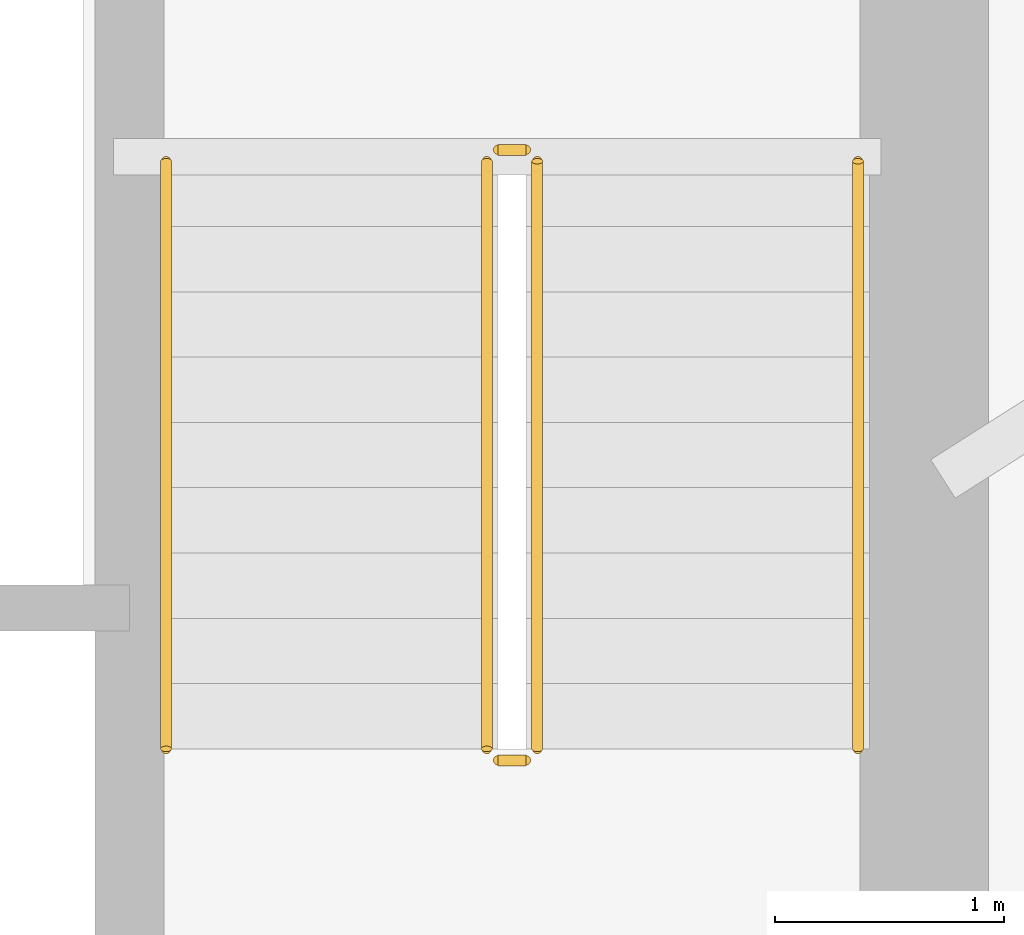
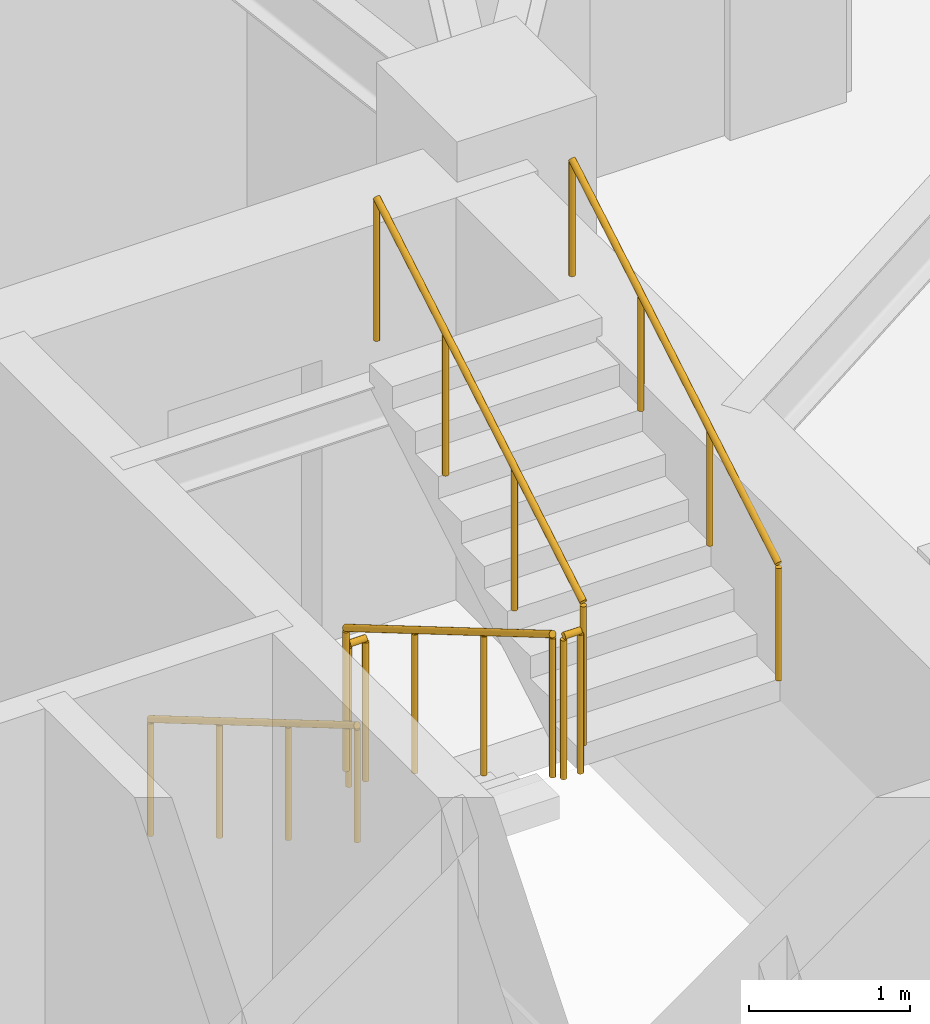
# One storey, part 23 of 23: 6 railings.
"""IFC4 building model written with IfcOpenShell, lengths in metres."""

from ifc_helpers import new_model, si_unit, direction, frame, origin, origin_2d, place, context, subcontext, project, spatial, circle, extrude, material, type_object, element, save


model = new_model("IFC4")

# Units and contexts
model_context = context("Model", 3, precision=1e-05, world=origin(), true_north=direction((0.0, 1.0)))
body_context = subcontext(model_context, "Body", "Model", "MODEL_VIEW")
ifc_project = project(units=[si_unit("LENGTHUNIT", "METRE"), si_unit("AREAUNIT", "SQUARE_METRE"), si_unit("VOLUMEUNIT", "CUBIC_METRE"), si_unit("PLANEANGLEUNIT", "RADIAN"), si_unit("MASSUNIT", "GRAM", prefix="KILO")], contexts=[model_context])

# Site, building, storey
site_placement = place(None, origin())
site = spatial("IfcSite", under=ifc_project, at=site_placement, CompositionType="ELEMENT")
building_placement = place(site_placement, origin())
building = spatial("IfcBuilding", under=site, at=building_placement, Name="Qobustan Lattice House", CompositionType="ELEMENT")
storey_placement = place(building_placement, frame((0.0, 0.0, 102.449951171875)))
storey = spatial("IfcBuildingStorey", under=building, at=storey_placement, Name="L28", CompositionType="ELEMENT", Elevation=102.449951171875)

# Railings
ifc_material_1 = material(Name="Brushed stainless steel handrail", Category="steel")
railing_type_1 = type_object("IfcRailingType", Name="RAL-HR-920", PredefinedType="HANDRAIL", material=ifc_material_1)
railing_1_placement = place(storey_placement, frame((15.179931640625, 3.5, 0.16748046875)))
element("IfcRailing", 1, at=railing_1_placement, inside=storey, type_object=railing_type_1, Name="L28 ST-E1 stair handrail 1", PredefinedType="HANDRAIL", context=body_context, shape_type="SweptSolid", body=[
    extrude(circle(Radius=0.02392578125, at=origin_2d()), frame((0.0, 0.0, 0.8759765625), z_axis=(0.0, -0.862113467892, 0.50671527358), x_axis=(1.0, 0.0, 0.0)), (0.0, 0.0, 1.0), 2.97509765625),
    extrude(circle(Radius=0.02099609375, at=origin_2d()), origin(), (0.0, 0.0, 1.0), 0.851806640625),
    extrude(circle(Radius=0.02099609375, at=origin_2d()), frame((0.0, -0.85498046875, 0.50244140625)), (0.0, 0.0, 1.0), 0.851806640625),
    extrude(circle(Radius=0.02099609375, at=origin_2d()), frame((0.0, -1.7099609375, 1.005126953125)), (0.0, 0.0, 1.0), 0.851806640625),
    extrude(circle(Radius=0.02099609375, at=origin_2d()), frame((0.0, -2.56494140625, 1.507568359375)), (0.0, 0.0, 1.0), 0.851806640625),
])
railing_2_placement = place(storey_placement, frame((18.199951171875, 0.93505859375, 1.842529296875)))
element("IfcRailing", 2, at=railing_2_placement, inside=storey, type_object=railing_type_1, Name="L28 ST-E1 stair handrail 2", PredefinedType="HANDRAIL", context=body_context, shape_type="SweptSolid", body=[
    extrude(circle(Radius=0.02392578125, at=origin_2d()), frame((0.0, 0.0, 0.8759765625), z_axis=(0.0, 0.862113467892, 0.50671527358), x_axis=(-1.0, 0.0, 0.0)), (0.0, 0.0, 1.0), 2.97509765625),
    extrude(circle(Radius=0.02099609375, at=origin_2d()), origin(), (0.0, 0.0, 1.0), 0.851806640625),
    extrude(circle(Radius=0.02099609375, at=origin_2d()), frame((0.0, 0.85498046875, 0.50244140625)), (0.0, 0.0, 1.0), 0.851806640625),
    extrude(circle(Radius=0.02099609375, at=origin_2d()), frame((0.0, 1.7099609375, 1.005126953125)), (0.0, 0.0, 1.0), 0.851806640625),
    extrude(circle(Radius=0.02099609375, at=origin_2d()), frame((0.0, 2.56494140625, 1.507568359375)), (0.0, 0.0, 1.0), 0.851806640625),
])
ifc_material_2 = material(Name="Painted galvanized steel guardrail", Category="steel")
railing_type_2 = type_object("IfcRailingType", Name="RAL-STG-1150", PredefinedType="GUARDRAIL", material=ifc_material_2)
railing_3_placement = place(storey_placement, frame((16.580078125, 3.5, 0.16748046875)))
element("IfcRailing", 3, at=railing_3_placement, inside=storey, type_object=railing_type_2, Name="L28 ST-E1 stair guard 1", PredefinedType="GUARDRAIL", context=body_context, shape_type="SweptSolid", body=[
    extrude(circle(Radius=0.02392578125, at=origin_2d()), frame((0.0, 0.0, 1.076171875), z_axis=(0.0, -0.862113467892, 0.50671527358), x_axis=(1.0, 0.0, 0.0)), (0.0, 0.0, 1.0), 2.97509765625),
    extrude(circle(Radius=0.02099609375, at=origin_2d()), origin(), (0.0, 0.0, 1.0), 1.052001953125),
    extrude(circle(Radius=0.02099609375, at=origin_2d()), frame((0.0, -0.85498046875, 0.50244140625)), (0.0, 0.0, 1.0), 1.052001953125),
    extrude(circle(Radius=0.02099609375, at=origin_2d()), frame((0.0, -1.7099609375, 1.005126953125)), (0.0, 0.0, 1.0), 1.052001953125),
    extrude(circle(Radius=0.02099609375, at=origin_2d()), frame((0.0, -2.56494140625, 1.507568359375)), (0.0, 0.0, 1.0), 1.052001953125),
])
railing_4_placement = place(storey_placement, frame((16.6298828125, 0.885009765625, 1.675048828125)))
element("IfcRailing", 4, at=railing_4_placement, inside=storey, type_object=railing_type_2, Name="L28 ST-E1 stair guard 2", PredefinedType="GUARDRAIL", context=body_context, shape_type="SweptSolid", body=[
    extrude(circle(Radius=0.02392578125, at=origin_2d()), frame((0.0, 0.0, 1.076171875), z_axis=(1.0, 0.0, 0.0), x_axis=(0.0, 1.0, 0.0)), (0.0, 0.0, 1.0), 0.1201171875),
    extrude(circle(Radius=0.02099609375, at=origin_2d()), origin(), (0.0, 0.0, 1.0), 1.052001953125),
    extrude(circle(Radius=0.02099609375, at=origin_2d()), frame((0.1201171875, 0.0, 0.0)), (0.0, 0.0, 1.0), 1.052001953125),
])
railing_5_placement = place(storey_placement, frame((16.800048828125, 0.93505859375, 1.842529296875)))
element("IfcRailing", 5, at=railing_5_placement, inside=storey, type_object=railing_type_2, Name="L28 ST-E1 stair guard 3", PredefinedType="GUARDRAIL", context=body_context, shape_type="SweptSolid", body=[
    extrude(circle(Radius=0.02392578125, at=origin_2d()), frame((0.0, 0.0, 1.076171875), z_axis=(0.0, 0.862113467892, 0.50671527358), x_axis=(-1.0, 0.0, 0.0)), (0.0, 0.0, 1.0), 2.97509765625),
    extrude(circle(Radius=0.02099609375, at=origin_2d()), origin(), (0.0, 0.0, 1.0), 1.052001953125),
    extrude(circle(Radius=0.02099609375, at=origin_2d()), frame((0.0, 0.85498046875, 0.50244140625)), (0.0, 0.0, 1.0), 1.052001953125),
    extrude(circle(Radius=0.02099609375, at=origin_2d()), frame((0.0, 1.7099609375, 1.005126953125)), (0.0, 0.0, 1.0), 1.052001953125),
    extrude(circle(Radius=0.02099609375, at=origin_2d()), frame((0.0, 2.56494140625, 1.507568359375)), (0.0, 0.0, 1.0), 1.052001953125),
])
railing_6_placement = place(storey_placement, frame((16.6298828125, 3.550048828125, 0.0)))
element("IfcRailing", 6, at=railing_6_placement, inside=storey, type_object=railing_type_2, Name="L28 ST-E1 stair guard 4", PredefinedType="GUARDRAIL", context=body_context, shape_type="SweptSolid", body=[
    extrude(circle(Radius=0.02392578125, at=origin_2d()), frame((0.0, 0.0, 1.076171875), z_axis=(1.0, 0.0, 0.0), x_axis=(0.0, 1.0, 0.0)), (0.0, 0.0, 1.0), 0.1201171875),
    extrude(circle(Radius=0.02099609375, at=origin_2d()), origin(), (0.0, 0.0, 1.0), 1.052001953125),
    extrude(circle(Radius=0.02099609375, at=origin_2d()), frame((0.1201171875, 0.0, 0.0)), (0.0, 0.0, 1.0), 1.052001953125),
])

save(model, "model.ifc")
